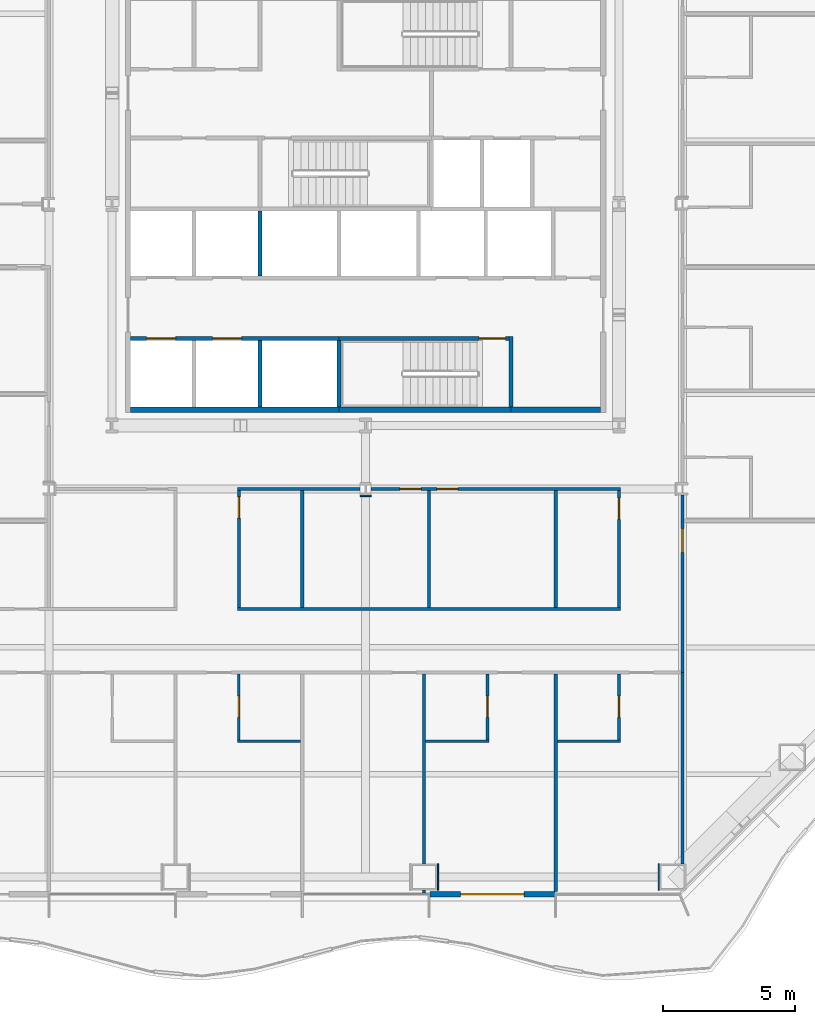
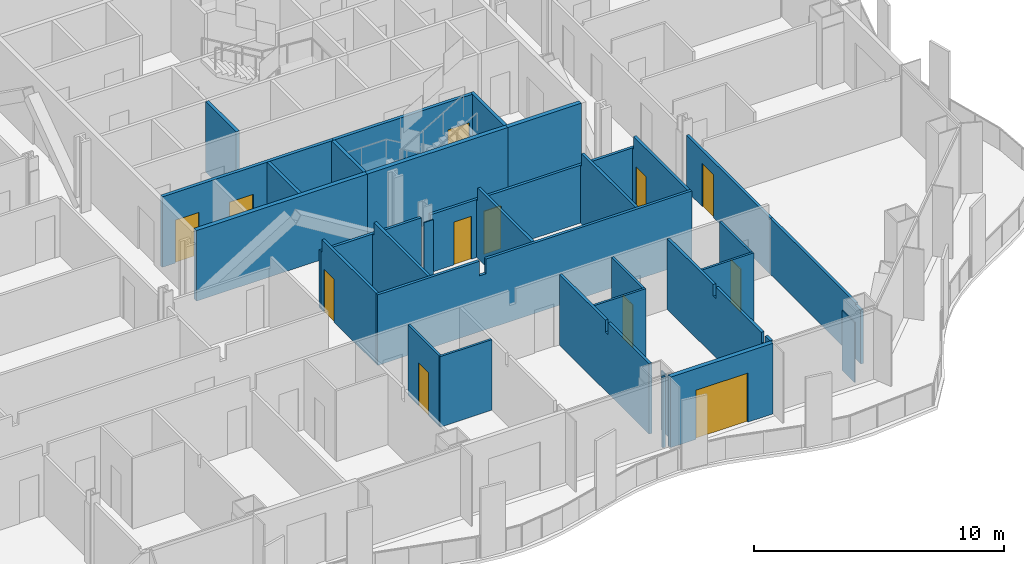
# One storey, part 9 of 21: 32 walls, 12 doors, 12 openings.
"""IFC4 building model written with IfcOpenShell, lengths in metres."""

from ifc_helpers import new_model, si_unit, direction, frame, frame_2d, origin, place, context, subcontext, project, spatial, polyline, rectangle, outline, extrude, material, layer, layer_set, type_object, element, fill, save


model = new_model("IFC4")

# Units and contexts
model_context = context("Model", 3, precision=1e-05, world=origin(), true_north=direction((0.0, 1.0)))
body_context = subcontext(model_context, "Body", "Model", "MODEL_VIEW")
ifc_project = project(units=[si_unit("LENGTHUNIT", "METRE"), si_unit("AREAUNIT", "SQUARE_METRE"), si_unit("VOLUMEUNIT", "CUBIC_METRE"), si_unit("PLANEANGLEUNIT", "RADIAN"), si_unit("MASSUNIT", "GRAM", prefix="KILO")], contexts=[model_context])

# Site, building, storey
site_placement = place(None, origin())
site = spatial("IfcSite", under=ifc_project, at=site_placement, CompositionType="ELEMENT")
building_placement = place(site_placement, origin())
building = spatial("IfcBuilding", under=site, at=building_placement, Name="Cairn Pilgrim Tower", CompositionType="ELEMENT")
storey_placement = place(building_placement, frame((0.0, 0.0, 43.800048828125)))
storey = spatial("IfcBuildingStorey", under=building, at=storey_placement, Name="L08", CompositionType="ELEMENT", Elevation=43.800048828125)

# Wall, opening, door
ifc_material_1 = material(Name="Bronze anodised aluminium insulated sandwich panel with mineral wool fill", Category="aluminium")
ifc_layer_1 = layer(ifc_material_1, 0.199951171875)
ifc_layer_set_1 = layer_set([ifc_layer_1], Name="BRONZE INFILL FRAME WALL 200")
wall_type_1 = type_object("IfcWallType", Name="BRONZE INFILL FRAME WALL 200", PredefinedType="NOTDEFINED", material=ifc_layer_set_1)
wall_1_placement = place(storey_placement, frame((9.6298828125, -23.75, 0.0), z_axis=(0.0, 0.0, 1.0), x_axis=(1.0, 0.0, 0.0)))
wall_1 = element("IfcWall", 1, at=wall_1_placement, inside=storey, type_object=wall_type_1, Name="Bronze infill frame wall IW-S7", PredefinedType="NOTDEFINED", context=body_context, shape_type="SweptSolid", body=[
    extrude(rectangle(XDim=4.740234375, YDim=0.199951171875, at=frame_2d((2.3701171875, 0.0))), origin(), (0.0, 0.0, 1.0), 3.449951171875),
])
opening_1_placement = place(wall_1_placement, frame((1.169921875, 0.0, 0.0)))
opening_1 = element("IfcOpeningElement", 2, at=opening_1_placement, cuts=wall_1, Name="Opening 0807B", PredefinedType="OPENING", context=body_context, shape_type="SweptSolid", body=[
    extrude(rectangle(XDim=2.39990234375, YDim=2.39990234375, at=frame_2d((1.199951171875, 1.199951171875))), frame((0.0, 0.10986328125, 0.0), z_axis=(0.0, -1.0, 0.0), x_axis=(1.0, 0.0, 0.0)), (0.0, 0.0, 1.0), 0.219970703125),
])
ifc_material_2 = material(Name="Bronze anodised aluminium frame with tinted low-E glass", Category="aluminium")
door_type_1 = type_object("IfcDoorType", Name="BALCONY SLIDING DOOR 2400x2400", OperationType="DOUBLE_DOOR_SLIDING", PredefinedType="DOOR", material=ifc_material_2)
door_1_placement = place(opening_1_placement, origin())
door_1 = element("IfcDoor", 3, at=door_1_placement, inside=storey, type_object=door_type_1, Name="Balcony sliding door 0807B", OperationType="SINGLE_SWING_LEFT", OverallHeight=2.39990234375, OverallWidth=2.39990234375, PredefinedType="DOOR", context=body_context, shape_type="SweptSolid", body=[
    extrude(rectangle(XDim=2.39990234375, YDim=2.39990234375, at=frame_2d((1.199951171875, 1.199951171875))), frame((0.0, 0.02490234375, 0.0), z_axis=(0.0, -1.0, 0.0), x_axis=(1.0, 0.0, 0.0)), (0.0, 0.0, 1.0), 0.050048828125),
])
fill(opening_1, door_1)

# Walls
ifc_material_3 = material(Name="Concrete C32/40", Category="concrete")
ifc_layer_2 = layer(ifc_material_3, 0.199951171875)
ifc_layer_set_2 = layer_set([ifc_layer_2], Name="CORE OUTER WALL 200 EI 120")
wall_type_2 = type_object("IfcWallType", Name="CORE OUTER WALL 200 EI 120", PredefinedType="SOLIDWALL", material=ifc_layer_set_2)
wall_2_placement = place(storey_placement, frame((-1.699951171875, -5.39990234375, 0.0), z_axis=(0.0, 0.0, 1.0), x_axis=(1.0, 0.0, 0.0)))
element("IfcWall", 4, at=wall_2_placement, inside=storey, type_object=wall_type_2, Name="CW:L08:H01-1", PredefinedType="SOLIDWALL", context=body_context, shape_type="SweptSolid", body=[
    extrude(rectangle(XDim=7.89990234375, YDim=0.199951171875, at=frame_2d((3.949951171875, 0.0))), origin(), (0.0, 0.0, 1.0), 3.449951171875),
])
wall_3_placement = place(storey_placement, frame((12.699951171875, -5.39990234375, 0.0), z_axis=(0.0, 0.0, 1.0), x_axis=(1.0, 0.0, 0.0)))
element("IfcWall", 5, at=wall_3_placement, inside=storey, type_object=wall_type_2, Name="CW:L08:H01-3", PredefinedType="SOLIDWALL", context=body_context, shape_type="SweptSolid", body=[
    extrude(rectangle(XDim=3.400146484375, YDim=0.199951171875, at=frame_2d((1.7001953125, 0.0))), origin(), (0.0, 0.0, 1.0), 3.449951171875),
])

# Wall, openings, doors
ifc_layer_3 = layer(ifc_material_3, 0.14990234375)
ifc_layer_set_3 = layer_set([ifc_layer_3], Name="CORE SHAFT WALL 150 EI 120")
wall_type_3 = type_object("IfcWallType", Name="CORE SHAFT WALL 150 EI 120", PredefinedType="SOLIDWALL", material=ifc_layer_set_3)
wall_4_placement = place(storey_placement, frame((-1.699951171875, -2.699951171875, 0.0), z_axis=(0.0, 0.0, 1.0), x_axis=(1.0, 0.0, 0.0)))
wall_4 = element("IfcWall", 6, at=wall_4_placement, inside=storey, type_object=wall_type_3, Name="CW:L08:H02-1", PredefinedType="SOLIDWALL", context=body_context, shape_type="SweptSolid", body=[
    extrude(rectangle(XDim=7.89990234375, YDim=0.14990234375, at=frame_2d((3.949951171875, 0.0))), origin(), (0.0, 0.0, 1.0), 3.449951171875),
])
opening_2_placement = place(wall_4_placement, frame((0.60009765625, 0.0, 0.0)))
opening_2 = element("IfcOpeningElement", 7, at=opening_2_placement, cuts=wall_4, Name="Opening LD-LR1", PredefinedType="OPENING", context=body_context, shape_type="SweptSolid", body=[
    extrude(rectangle(XDim=1.10009765625, YDim=2.10009765625, at=frame_2d((0.550048828125, 1.050048828125))), frame((0.0, 0.0849609375, 0.0), z_axis=(0.0, -1.0, 0.0), x_axis=(1.0, 0.0, 0.0)), (0.0, 0.0, 1.0), 0.169921875),
])
opening_3_placement = place(wall_4_placement, frame((3.10009765625, 0.0, 0.0)))
opening_3 = element("IfcOpeningElement", 8, at=opening_3_placement, cuts=wall_4, Name="Opening LD-LR2", PredefinedType="OPENING", context=body_context, shape_type="SweptSolid", body=[
    extrude(rectangle(XDim=1.10009765625, YDim=2.10009765625, at=frame_2d((0.550048828125, 1.050048828125))), frame((0.0, 0.0849609375, 0.0), z_axis=(0.0, -1.0, 0.0), x_axis=(1.0, 0.0, 0.0)), (0.0, 0.0, 1.0), 0.169921875),
])
ifc_material_4 = material(Name="Stainless steel", Category="steel")
door_type_2 = type_object("IfcDoorType", Name="LIFT LANDING DOOR 1100x2100", OperationType="DOUBLE_DOOR_SLIDING", PredefinedType="DOOR", material=ifc_material_4)
door_2_placement = place(opening_2_placement, origin())
door_2 = element("IfcDoor", 9, at=door_2_placement, inside=storey, type_object=door_type_2, Name="LANDING DOOR LR1", OperationType="DOUBLE_DOOR_SLIDING", OverallHeight=2.10009765625, OverallWidth=1.10009765625, PredefinedType="DOOR", context=body_context, shape_type="SweptSolid", body=[
    extrude(rectangle(XDim=1.10009765625, YDim=2.10009765625, at=frame_2d((0.550048828125, 1.050048828125))), frame((0.0, 0.02490234375, 0.0), z_axis=(0.0, -1.0, 0.0), x_axis=(1.0, 0.0, 0.0)), (0.0, 0.0, 1.0), 0.050048828125),
])
fill(opening_2, door_2)
door_3_placement = place(opening_3_placement, origin())
door_3 = element("IfcDoor", 10, at=door_3_placement, inside=storey, type_object=door_type_2, Name="LANDING DOOR LR2", OperationType="DOUBLE_DOOR_SLIDING", OverallHeight=2.10009765625, OverallWidth=1.10009765625, PredefinedType="DOOR", context=body_context, shape_type="SweptSolid", body=[
    extrude(rectangle(XDim=1.10009765625, YDim=2.10009765625, at=frame_2d((0.550048828125, 1.050048828125))), frame((0.0, 0.02490234375, 0.0), z_axis=(0.0, -1.0, 0.0), x_axis=(1.0, 0.0, 0.0)), (0.0, 0.0, 1.0), 0.050048828125),
])
fill(opening_3, door_3)

# Walls
wall_5_placement = place(storey_placement, frame((3.199951171875, -5.300048828125, 0.0), z_axis=(0.0, 0.0, 1.0), x_axis=(0.0, 1.0, 0.0)))
element("IfcWall", 11, at=wall_5_placement, inside=storey, type_object=wall_type_3, Name="CW:L08:V16", PredefinedType="SOLIDWALL", context=body_context, shape_type="SweptSolid", body=[
    extrude(rectangle(XDim=2.525146484375, YDim=0.14990234375, at=frame_2d((1.2626953125, 0.0))), origin(), (0.0, 0.0, 1.0), 3.449951171875),
])
wall_6_placement = place(storey_placement, frame((3.199951171875, -0.324951171875, 0.0), z_axis=(0.0, 0.0, 1.0), x_axis=(0.0, 1.0, 0.0)))
element("IfcWall", 12, at=wall_6_placement, inside=storey, type_object=wall_type_3, Name="CW:L08:V17", PredefinedType="SOLIDWALL", context=body_context, shape_type="SweptSolid", body=[
    extrude(rectangle(XDim=2.449951171875, YDim=0.14990234375, at=frame_2d((1.22509765625, 0.0))), origin(), (0.0, 0.0, 1.0), 3.449951171875),
])
ifc_material_5 = material(Name="Gypsum partition")
ifc_layer_4 = layer(ifc_material_5, 0.10009765625)
ifc_layer_set_4 = layer_set([ifc_layer_4], Name="PARTITION 100 DRYWALL")
wall_type_4 = type_object("IfcWallType", Name="PARTITION 100 DRYWALL", PredefinedType="PARTITIONING", material=ifc_layer_set_4)
wall_7_placement = place(storey_placement, frame((2.35009765625, -17.949951171875, 0.0), z_axis=(0.0, 0.0, 1.0), x_axis=(1.0, 0.0, 0.0)))
element("IfcWall", 13, at=wall_7_placement, inside=storey, type_object=wall_type_4, Name="PARTITION W015", PredefinedType="PARTITIONING", context=body_context, shape_type="SweptSolid", body=[
    extrude(rectangle(XDim=2.387451171875, YDim=0.10009765625, at=frame_2d((1.19384765625, 0.0))), origin(), (0.0, 0.0, 1.0), 3.449951171875),
])

# Wall, opening, door
wall_8_placement = place(storey_placement, frame((2.39990234375, -17.89990234375, 0.0), z_axis=(0.0, 0.0, 1.0), x_axis=(0.0, 1.0, 0.0)))
wall_8 = element("IfcWall", 14, at=wall_8_placement, inside=storey, type_object=wall_type_4, Name="PARTITION W016", PredefinedType="PARTITIONING", context=body_context, shape_type="SweptSolid", body=[
    extrude(rectangle(XDim=2.4873046875, YDim=0.10009765625, at=frame_2d((1.24365234375, 0.0))), origin(), (0.0, 0.0, 1.0), 3.449951171875),
])
opening_4_placement = place(wall_8_placement, frame((0.85009765625, 0.0, 0.0)))
opening_4 = element("IfcOpeningElement", 15, at=opening_4_placement, cuts=wall_8, Name="Opening 0805E", PredefinedType="OPENING", context=body_context, shape_type="SweptSolid", body=[
    extrude(rectangle(XDim=0.800048828125, YDim=2.10009765625, at=frame_2d((0.39990234375, 1.050048828125))), frame((0.0, 0.06005859375, 0.0), z_axis=(0.0, -1.0, 0.0), x_axis=(1.0, 0.0, 0.0)), (0.0, 0.0, 1.0), 0.1201171875),
])
ifc_material_6 = material(Name="Timber door leaf", Category="wood")
door_type_3 = type_object("IfcDoorType", Name="DOOR 800x2100", OperationType="NOTDEFINED", PredefinedType="DOOR", material=ifc_material_6)
door_4_placement = place(opening_4_placement, frame((0.800048828125, 0.0, 0.0), z_axis=(0.0, 0.0, 1.0), x_axis=(-1.0, 0.0, 0.0)))
door_4 = element("IfcDoor", 16, at=door_4_placement, inside=storey, type_object=door_type_3, Name="DOOR 0805E", OperationType="SINGLE_SWING_LEFT", OverallHeight=2.10009765625, OverallWidth=0.800048828125, PredefinedType="DOOR", context=body_context, shape_type="SweptSolid", body=[
    extrude(rectangle(XDim=0.800048828125, YDim=2.10009765625, at=frame_2d((0.39990234375, 1.050048828125))), frame((0.0, 0.02490234375, 0.0), z_axis=(0.0, -1.0, 0.0), x_axis=(1.0, 0.0, 0.0)), (0.0, 0.0, 1.0), 0.050048828125),
])
fill(opening_4, door_4)

# Wall
wall_9_placement = place(storey_placement, frame((9.4765625, -17.949951171875, 0.0), z_axis=(0.0, 0.0, 1.0), x_axis=(1.0, 0.0, 0.0)))
element("IfcWall", 17, at=wall_9_placement, inside=storey, type_object=wall_type_4, Name="PARTITION W017", PredefinedType="PARTITIONING", context=body_context, shape_type="SweptSolid", body=[
    extrude(rectangle(XDim=2.387451171875, YDim=0.10009765625, at=frame_2d((1.19384765625, 0.0))), origin(), (0.0, 0.0, 1.0), 3.449951171875),
])

# Wall, opening, door
wall_10_placement = place(storey_placement, frame((11.81396484375, -17.89990234375, 0.0), z_axis=(0.0, 0.0, 1.0), x_axis=(0.0, 1.0, 0.0)))
wall_10 = element("IfcWall", 18, at=wall_10_placement, inside=storey, type_object=wall_type_4, Name="PARTITION W018", PredefinedType="PARTITIONING", context=body_context, shape_type="SweptSolid", body=[
    extrude(rectangle(XDim=2.4873046875, YDim=0.10009765625, at=frame_2d((1.24365234375, 0.0))), origin(), (0.0, 0.0, 1.0), 3.449951171875),
])
opening_5_placement = place(wall_10_placement, frame((0.85009765625, 0.0, 0.0)))
opening_5 = element("IfcOpeningElement", 19, at=opening_5_placement, cuts=wall_10, Name="Opening 0807E", PredefinedType="OPENING", context=body_context, shape_type="SweptSolid", body=[
    extrude(rectangle(XDim=0.800048828125, YDim=2.10009765625, at=frame_2d((0.39990234375, 1.050048828125))), frame((0.0, 0.06005859375, 0.0), z_axis=(0.0, -1.0, 0.0), x_axis=(1.0, 0.0, 0.0)), (0.0, 0.0, 1.0), 0.1201171875),
])
door_5_placement = place(opening_5_placement, origin())
door_5 = element("IfcDoor", 20, at=door_5_placement, inside=storey, type_object=door_type_3, Name="DOOR 0807E", OperationType="SINGLE_SWING_RIGHT", OverallHeight=2.10009765625, OverallWidth=0.800048828125, PredefinedType="DOOR", context=body_context, shape_type="SweptSolid", body=[
    extrude(rectangle(XDim=0.800048828125, YDim=2.10009765625, at=frame_2d((0.39990234375, 1.050048828125))), frame((0.0, 0.02490234375, 0.0), z_axis=(0.0, -1.0, 0.0), x_axis=(1.0, 0.0, 0.0)), (0.0, 0.0, 1.0), 0.050048828125),
])
fill(opening_5, door_5)

# Wall
wall_11_placement = place(storey_placement, frame((14.46240234375, -17.949951171875, 0.0), z_axis=(0.0, 0.0, 1.0), x_axis=(1.0, 0.0, 0.0)))
element("IfcWall", 21, at=wall_11_placement, inside=storey, type_object=wall_type_4, Name="PARTITION W019", PredefinedType="PARTITIONING", context=body_context, shape_type="SweptSolid", body=[
    extrude(rectangle(XDim=2.3876953125, YDim=0.10009765625, at=frame_2d((1.19384765625, 0.0))), origin(), (0.0, 0.0, 1.0), 3.449951171875),
])

# Wall, opening, door
wall_12_placement = place(storey_placement, frame((16.800048828125, -17.89990234375, 0.0), z_axis=(0.0, 0.0, 1.0), x_axis=(0.0, 1.0, 0.0)))
wall_12 = element("IfcWall", 22, at=wall_12_placement, inside=storey, type_object=wall_type_4, Name="PARTITION W020", PredefinedType="PARTITIONING", context=body_context, shape_type="SweptSolid", body=[
    extrude(rectangle(XDim=2.4873046875, YDim=0.10009765625, at=frame_2d((1.24365234375, 0.0))), origin(), (0.0, 0.0, 1.0), 3.449951171875),
])
opening_6_placement = place(wall_12_placement, frame((0.85009765625, 0.0, 0.0)))
opening_6 = element("IfcOpeningElement", 23, at=opening_6_placement, cuts=wall_12, Name="Opening 0808E", PredefinedType="OPENING", context=body_context, shape_type="SweptSolid", body=[
    extrude(rectangle(XDim=0.800048828125, YDim=2.10009765625, at=frame_2d((0.39990234375, 1.050048828125))), frame((0.0, 0.06005859375, 0.0), z_axis=(0.0, -1.0, 0.0), x_axis=(1.0, 0.0, 0.0)), (0.0, 0.0, 1.0), 0.1201171875),
])
door_6_placement = place(opening_6_placement, origin())
door_6 = element("IfcDoor", 24, at=door_6_placement, inside=storey, type_object=door_type_3, Name="DOOR 0808E", OperationType="SINGLE_SWING_RIGHT", OverallHeight=2.10009765625, OverallWidth=0.800048828125, PredefinedType="DOOR", context=body_context, shape_type="SweptSolid", body=[
    extrude(rectangle(XDim=0.800048828125, YDim=2.10009765625, at=frame_2d((0.39990234375, 1.050048828125))), frame((0.0, 0.02490234375, 0.0), z_axis=(0.0, -1.0, 0.0), x_axis=(1.0, 0.0, 0.0)), (0.0, 0.0, 1.0), 0.050048828125),
])
fill(opening_6, door_6)

# Walls
ifc_layer_5 = layer(ifc_material_5, 0.125)
ifc_layer_set_5 = layer_set([ifc_layer_5], Name="PARTITION 125 DRYWALL EI 60")
wall_type_5 = type_object("IfcWallType", Name="PARTITION 125 DRYWALL EI 60", PredefinedType="PARTITIONING", material=ifc_layer_set_5)
wall_13_placement = place(storey_placement, frame((9.4140625, -23.702880859375, 0.0), z_axis=(0.0, 0.0, 1.0), x_axis=(0.0, 1.0, 0.0)))
element("IfcWall", 25, at=wall_13_placement, inside=storey, type_object=wall_type_5, Name="PARTITION W004", PredefinedType="PARTITIONING", context=body_context, shape_type="SweptSolid", body=[
    extrude(rectangle(XDim=0.102783203125, YDim=0.125, at=frame_2d((0.05126953125, 0.0))), origin(), (0.0, 0.0, 1.0), 3.449951171875),
])
wall_14_placement = place(storey_placement, frame((14.39990234375, -23.64990234375, 0.0), z_axis=(0.0, 0.0, 1.0), x_axis=(0.0, 1.0, 0.0)))
element("IfcWall", 26, at=wall_14_placement, inside=storey, type_object=wall_type_5, Name="PARTITION W005", PredefinedType="PARTITIONING", context=body_context, shape_type="SweptSolid", body=[
    extrude(outline(polyline([(0.0, 0.0), (8.2373046875, 0.0), (8.237548828125, 3.449951171875), (4.554931640625, 3.449951171875), (4.552978515625, 2.8798828125), (4.344970703125, 2.8798828125), (4.343017578125, 3.449951171875), (0.699951171875, 3.449951171875), (0.697998046875, 2.929931640625), (0.39990234375, 2.929931640625), (0.39794921875, 3.449951171875), (0.0, 3.449951171875), (0.0, 0.0)])), frame((0.0, 0.0625, 0.0), z_axis=(0.0, -1.0, 0.0), x_axis=(1.0, 0.0, 0.0)), (0.0, 0.0, 1.0), 0.125),
])
wall_15_placement = place(storey_placement, frame((9.4140625, -22.60009765625, 0.0), z_axis=(0.0, 0.0, 1.0), x_axis=(0.0, 1.0, 0.0)))
element("IfcWall", 27, at=wall_15_placement, inside=storey, type_object=wall_type_5, Name="PARTITION W008", PredefinedType="PARTITIONING", context=body_context, shape_type="SweptSolid", body=[
    extrude(outline(polyline([(0.0, 0.0), (7.1875, 0.0), (7.1875, 3.449951171875), (3.5048828125, 3.449951171875), (3.5029296875, 2.8798828125), (3.294921875, 2.8798828125), (3.29296875, 3.449951171875), (0.0, 3.449951171875), (0.0, 0.0)])), frame((0.0, 0.0625, 0.0), z_axis=(0.0, -1.0, 0.0), x_axis=(1.0, 0.0, 0.0)), (0.0, 0.0, 1.0), 0.125),
])
wall_16_placement = place(storey_placement, frame((19.199951171875, -22.60009765625, 0.0), z_axis=(0.0, 0.0, 1.0), x_axis=(0.0, 1.0, 0.0)))
element("IfcWall", 28, at=wall_16_placement, inside=storey, type_object=wall_type_5, Name="PARTITION W009", PredefinedType="PARTITIONING", context=body_context, shape_type="SweptSolid", body=[
    extrude(outline(polyline([(0.0, 0.0), (7.25, 0.0), (7.25, 2.72998046875), (0.430419921875, 2.72998046875), (0.42822265625, 2.6298828125), (0.0, 2.6298828125), (0.0, 0.0)])), frame((0.0, 0.0625, 0.0), z_axis=(0.0, -1.0, 0.0), x_axis=(1.0, 0.0, 0.0)), (0.0, 0.0, 1.0), 0.125),
])

# Wall, opening, door
wall_17_placement = place(storey_placement, frame((19.199951171875, -15.35009765625, 0.0), z_axis=(0.0, 0.0, 1.0), x_axis=(0.0, 1.0, 0.0)))
wall_17 = element("IfcWall", 29, at=wall_17_placement, inside=storey, type_object=wall_type_5, Name="PARTITION W024", PredefinedType="PARTITIONING", context=body_context, shape_type="SweptSolid", body=[
    extrude(rectangle(XDim=6.713134765625, YDim=0.125, at=frame_2d((3.3564453125, 0.0))), origin(), (0.0, 0.0, 1.0), 2.72998046875),
])
opening_7_placement = place(wall_17_placement, frame((4.550048828125, 0.0, 0.0)))
opening_7 = element("IfcOpeningElement", 30, at=opening_7_placement, cuts=wall_17, Name="Opening 0821", PredefinedType="OPENING", context=body_context, shape_type="SweptSolid", body=[
    extrude(rectangle(XDim=0.89990234375, YDim=2.10009765625, at=frame_2d((0.449951171875, 1.050048828125))), frame((0.0, 0.072509765625, 0.0), z_axis=(0.0, -1.0, 0.0), x_axis=(1.0, 0.0, 0.0)), (0.0, 0.0, 1.0), 0.14501953125),
])
ifc_material_7 = material(Name="Steel-faced fire door leaf", Category="steel")
door_type_4 = type_object("IfcDoorType", Name="FIRE DOOR 900x2100 FD30S", OperationType="NOTDEFINED", PredefinedType="DOOR", material=ifc_material_7)
door_7_placement = place(opening_7_placement, frame((0.89990234375, 0.0, 0.0), z_axis=(0.0, 0.0, 1.0), x_axis=(-1.0, 0.0, 0.0)))
door_7 = element("IfcDoor", 31, at=door_7_placement, inside=storey, type_object=door_type_4, Name="DOOR 0821", OperationType="SINGLE_SWING_RIGHT", OverallHeight=2.10009765625, OverallWidth=0.89990234375, PredefinedType="DOOR", context=body_context, shape_type="SweptSolid", body=[
    extrude(rectangle(XDim=0.89990234375, YDim=2.10009765625, at=frame_2d((0.449951171875, 1.050048828125))), frame((0.0, 0.02490234375, 0.0), z_axis=(0.0, -1.0, 0.0), x_axis=(1.0, 0.0, 0.0)), (0.0, 0.0, 1.0), 0.050048828125),
])
fill(opening_7, door_7)

# Wall
wall_18_placement = place(storey_placement, frame((2.33740234375, -12.949951171875, 0.0), z_axis=(0.0, 0.0, 1.0), x_axis=(1.0, 0.0, 0.0)))
element("IfcWall", 32, at=wall_18_placement, inside=storey, type_object=wall_type_5, Name="PARTITION W026", PredefinedType="PARTITIONING", context=body_context, shape_type="SweptSolid", body=[
    extrude(outline(polyline([(0.0, 0.0), (14.525146484375, 0.0), (14.52490234375, 3.449951171875), (5.012451171875, 3.449951171875), (5.010498046875, 2.72998046875), (4.71240234375, 2.72998046875), (4.71044921875, 3.449951171875), (0.0, 3.449951171875), (0.0, 0.0)])), frame((0.0, 0.0625, 0.0), z_axis=(0.0, -1.0, 0.0), x_axis=(1.0, 0.0, 0.0)), (0.0, 0.0, 1.0), 0.125),
])

# Wall, opening, door
wall_19_placement = place(storey_placement, frame((2.39990234375, -12.887451171875, 0.0), z_axis=(0.0, 0.0, 1.0), x_axis=(0.0, 1.0, 0.0)))
wall_19 = element("IfcWall", 33, at=wall_19_placement, inside=storey, type_object=wall_type_5, Name="PARTITION W031", PredefinedType="PARTITIONING", context=body_context, shape_type="SweptSolid", body=[
    extrude(outline(polyline([(0.0, 0.0), (4.425048828125, 0.0), (4.425048828125, 2.829833984375), (4.33740234375, 2.829833984375), (4.33544921875, 3.449951171875), (0.0, 3.449951171875), (0.0, 0.0)])), frame((0.0, 0.0625, 0.0), z_axis=(0.0, -1.0, 0.0), x_axis=(1.0, 0.0, 0.0)), (0.0, 0.0, 1.0), 0.125),
])
opening_8_placement = place(wall_19_placement, frame((3.387451171875, 0.0, 0.0)))
opening_8 = element("IfcOpeningElement", 34, at=opening_8_placement, cuts=wall_19, Name="Opening 0835", PredefinedType="OPENING", context=body_context, shape_type="SweptSolid", body=[
    extrude(rectangle(XDim=0.800048828125, YDim=2.10009765625, at=frame_2d((0.39990234375, 1.050048828125))), frame((0.0, 0.072509765625, 0.0), z_axis=(0.0, -1.0, 0.0), x_axis=(1.0, 0.0, 0.0)), (0.0, 0.0, 1.0), 0.14501953125),
])
door_type_5 = type_object("IfcDoorType", Name="FIRE DOOR 800x2100 FD30S", OperationType="NOTDEFINED", PredefinedType="DOOR", material=ifc_material_7)
door_8_placement = place(opening_8_placement, frame((0.800048828125, 0.0, 0.0), z_axis=(0.0, 0.0, 1.0), x_axis=(-1.0, 0.0, 0.0)))
door_8 = element("IfcDoor", 35, at=door_8_placement, inside=storey, type_object=door_type_5, Name="DOOR 0835", OperationType="SINGLE_SWING_RIGHT", OverallHeight=2.10009765625, OverallWidth=0.800048828125, PredefinedType="DOOR", context=body_context, shape_type="SweptSolid", body=[
    extrude(rectangle(XDim=0.800048828125, YDim=2.10009765625, at=frame_2d((0.39990234375, 1.050048828125))), frame((0.0, 0.02490234375, 0.0), z_axis=(0.0, -1.0, 0.0), x_axis=(1.0, 0.0, 0.0)), (0.0, 0.0, 1.0), 0.050048828125),
])
fill(opening_8, door_8)

# Walls
for number, where, z_axis, x_axis, name in (
    (36, (4.800048828125, -12.887451171875, 0.0), (0.0, 0.0, 1.0), (0.0, 1.0, 0.0), "PARTITION W032"),
    (37, (9.60009765625, -12.887451171875, 0.0), (0.0, 0.0, 1.0), (0.0, 1.0, 0.0), "PARTITION W033"),
    (38, (14.39990234375, -12.887451171875, 0.0), (0.0, 0.0, 1.0), (0.0, 1.0, 0.0), "PARTITION W034"),
):
    element("IfcWall", number, at=place(storey_placement, frame(where, z_axis=z_axis, x_axis=x_axis)), inside=storey, type_object=wall_type_5, Name=name, PredefinedType="PARTITIONING", context=body_context, shape_type="SweptSolid", body=[
        extrude(outline(polyline([(0.0, 0.0), (4.425048828125, 0.0), (4.425048828125, 2.829833984375), (4.33740234375, 2.829833984375), (4.33544921875, 3.449951171875), (0.0, 3.449951171875), (0.0, 0.0)])), frame((0.0, 0.0625, 0.0), z_axis=(0.0, -1.0, 0.0), x_axis=(1.0, 0.0, 0.0)), (0.0, 0.0, 1.0), 0.125),
    ])

# Wall, opening, door
wall_20_placement = place(storey_placement, frame((16.800048828125, -12.887451171875, 0.0), z_axis=(0.0, 0.0, 1.0), x_axis=(0.0, 1.0, 0.0)))
wall_20 = element("IfcWall", 39, at=wall_20_placement, inside=storey, type_object=wall_type_5, Name="PARTITION W035", PredefinedType="PARTITIONING", context=body_context, shape_type="SweptSolid", body=[
    extrude(outline(polyline([(0.0, 0.0), (4.425048828125, 0.0), (4.425048828125, 2.829833984375), (4.33740234375, 2.829833984375), (4.33544921875, 3.449951171875), (0.0, 3.449951171875), (0.0, 0.0)])), frame((0.0, 0.0625, 0.0), z_axis=(0.0, -1.0, 0.0), x_axis=(1.0, 0.0, 0.0)), (0.0, 0.0, 1.0), 0.125),
])
opening_9_placement = place(wall_20_placement, frame((3.33740234375, 0.0, 0.0)))
opening_9 = element("IfcOpeningElement", 40, at=opening_9_placement, cuts=wall_20, Name="Opening 0838", PredefinedType="OPENING", context=body_context, shape_type="SweptSolid", body=[
    extrude(rectangle(XDim=0.800048828125, YDim=2.10009765625, at=frame_2d((0.39990234375, 1.050048828125))), frame((0.0, 0.072509765625, 0.0), z_axis=(0.0, -1.0, 0.0), x_axis=(1.0, 0.0, 0.0)), (0.0, 0.0, 1.0), 0.14501953125),
])
door_9_placement = place(opening_9_placement, origin())
door_9 = element("IfcDoor", 41, at=door_9_placement, inside=storey, type_object=door_type_5, Name="DOOR 0838", OperationType="SINGLE_SWING_LEFT", OverallHeight=2.10009765625, OverallWidth=0.800048828125, PredefinedType="DOOR", context=body_context, shape_type="SweptSolid", body=[
    extrude(rectangle(XDim=0.800048828125, YDim=2.10009765625, at=frame_2d((0.39990234375, 1.050048828125))), frame((0.0, 0.02490234375, 0.0), z_axis=(0.0, -1.0, 0.0), x_axis=(1.0, 0.0, 0.0)), (0.0, 0.0, 1.0), 0.050048828125),
])
fill(opening_9, door_9)

# Wall
wall_21_placement = place(storey_placement, frame((2.33740234375, -8.39990234375, 0.0), z_axis=(0.0, 0.0, 1.0), x_axis=(1.0, 0.0, 0.0)))
element("IfcWall", 42, at=wall_21_placement, inside=storey, type_object=wall_type_5, Name="PARTITION W041", PredefinedType="PARTITIONING", context=body_context, shape_type="SweptSolid", body=[
    extrude(rectangle(XDim=4.650634765625, YDim=0.125, at=frame_2d((2.3251953125, 0.0))), origin(), (0.0, 0.0, 1.0), 2.829833984375),
])

# Wall, openings, doors
wall_22_placement = place(storey_placement, frame((7.412109375, -8.39990234375, 0.0), z_axis=(0.0, 0.0, 1.0), x_axis=(1.0, 0.0, 0.0)))
wall_22 = element("IfcWall", 43, at=wall_22_placement, inside=storey, type_object=wall_type_5, Name="PARTITION W042", PredefinedType="PARTITIONING", context=body_context, shape_type="SweptSolid", body=[
    extrude(rectangle(XDim=9.450439453125, YDim=0.125, at=frame_2d((4.72509765625, 0.0))), origin(), (0.0, 0.0, 1.0), 2.829833984375),
])
opening_10_placement = place(wall_22_placement, frame((1.087890625, 0.0, 0.0)))
opening_10 = element("IfcOpeningElement", 44, at=opening_10_placement, cuts=wall_22, Name="Opening 0836", PredefinedType="OPENING", context=body_context, shape_type="SweptSolid", body=[
    extrude(rectangle(XDim=0.800048828125, YDim=2.10009765625, at=frame_2d((0.39990234375, 1.050048828125))), frame((0.0, 0.072509765625, 0.0), z_axis=(0.0, -1.0, 0.0), x_axis=(1.0, 0.0, 0.0)), (0.0, 0.0, 1.0), 0.14501953125),
])
opening_11_placement = place(wall_22_placement, frame((2.488037109375, 0.0, 0.0)))
opening_11 = element("IfcOpeningElement", 45, at=opening_11_placement, cuts=wall_22, Name="Opening 0837", PredefinedType="OPENING", context=body_context, shape_type="SweptSolid", body=[
    extrude(rectangle(XDim=0.800048828125, YDim=2.10009765625, at=frame_2d((0.39990234375, 1.050048828125))), frame((0.0, 0.072509765625, 0.0), z_axis=(0.0, -1.0, 0.0), x_axis=(1.0, 0.0, 0.0)), (0.0, 0.0, 1.0), 0.14501953125),
])
door_10_placement = place(opening_10_placement, frame((0.800048828125, 0.0, 0.0), z_axis=(0.0, 0.0, 1.0), x_axis=(-1.0, 0.0, 0.0)))
door_10 = element("IfcDoor", 46, at=door_10_placement, inside=storey, type_object=door_type_5, Name="DOOR 0836", OperationType="SINGLE_SWING_LEFT", OverallHeight=2.10009765625, OverallWidth=0.800048828125, PredefinedType="DOOR", context=body_context, shape_type="SweptSolid", body=[
    extrude(rectangle(XDim=0.800048828125, YDim=2.10009765625, at=frame_2d((0.39990234375, 1.050048828125))), frame((0.0, 0.02490234375, 0.0), z_axis=(0.0, -1.0, 0.0), x_axis=(1.0, 0.0, 0.0)), (0.0, 0.0, 1.0), 0.050048828125),
])
fill(opening_10, door_10)
door_11_placement = place(opening_11_placement, frame((0.800048828125, 0.0, 0.0), z_axis=(0.0, 0.0, 1.0), x_axis=(-1.0, 0.0, 0.0)))
door_11 = element("IfcDoor", 47, at=door_11_placement, inside=storey, type_object=door_type_5, Name="DOOR 0837", OperationType="SINGLE_SWING_RIGHT", OverallHeight=2.10009765625, OverallWidth=0.800048828125, PredefinedType="DOOR", context=body_context, shape_type="SweptSolid", body=[
    extrude(rectangle(XDim=0.800048828125, YDim=2.10009765625, at=frame_2d((0.39990234375, 1.050048828125))), frame((0.0, 0.02490234375, 0.0), z_axis=(0.0, -1.0, 0.0), x_axis=(1.0, 0.0, 0.0)), (0.0, 0.0, 1.0), 0.050048828125),
])
fill(opening_11, door_11)

# Walls
ifc_layer_6 = layer(ifc_material_5, 0.050048828125)
ifc_layer_set_6 = layer_set([ifc_layer_6], Name="PARTITION 50 DRYWALL EI 60")
wall_type_6 = type_object("IfcWallType", Name="PARTITION 50 DRYWALL EI 60", PredefinedType="PARTITIONING", material=ifc_layer_set_6)
for number, where, z_axis, x_axis, name in (
    (48, (9.938720703125, -23.60009765625, 0.0), (0.0, 0.0, 1.0), (0.0, 1.0, 0.0), "COLUMN CASING WC05"),
    (49, (18.30224609375, -23.60009765625, 0.0), (0.0, 0.0, 1.0), (0.0, 1.0, 0.0), "COLUMN CASING WC08"),
):
    element("IfcWall", number, at=place(storey_placement, frame(where, z_axis=z_axis, x_axis=x_axis)), inside=storey, type_object=wall_type_6, Name=name, PredefinedType="PARTITIONING", context=body_context, shape_type="SweptSolid", body=[
        extrude(rectangle(XDim=1.0, YDim=0.050048828125, at=frame_2d((0.5, 0.0))), origin(), (0.0, 0.0, 1.0), 2.929931640625),
    ])
wall_23_placement = place(storey_placement, frame((6.988037109375, -8.662109375, 0.0), z_axis=(0.0, 0.0, 1.0), x_axis=(1.0, 0.0, 0.0)))
element("IfcWall", 50, at=wall_23_placement, inside=storey, type_object=wall_type_6, Name="COLUMN CASING WC17", PredefinedType="PARTITIONING", context=body_context, shape_type="SweptSolid", body=[
    extrude(rectangle(XDim=0.424072265625, YDim=0.050048828125, at=frame_2d((0.2119140625, 0.0))), origin(), (0.0, 0.0, 1.0), 2.72998046875),
])

# Wall, opening, door
ifc_material_8 = material(Name="Concrete C35/45", Category="concrete")
ifc_layer_7 = layer(ifc_material_8, 0.14990234375)
ifc_layer_set_7 = layer_set([ifc_layer_7], Name="STAIR SHAFT WALL 150 EI 120")
wall_type_7 = type_object("IfcWallType", Name="STAIR SHAFT WALL 150 EI 120", PredefinedType="SOLIDWALL", material=ifc_layer_set_7)
wall_24_placement = place(storey_placement, frame((6.199951171875, -2.699951171875, 0.0), z_axis=(0.0, 0.0, 1.0), x_axis=(1.0, 0.0, 0.0)))
wall_24 = element("IfcWall", 51, at=wall_24_placement, inside=storey, type_object=wall_type_7, Name="CW:L08:H02-2", PredefinedType="SOLIDWALL", context=body_context, shape_type="SweptSolid", body=[
    extrude(rectangle(XDim=6.425048828125, YDim=0.14990234375, at=frame_2d((3.21240234375, 0.0))), origin(), (0.0, 0.0, 1.0), 3.449951171875),
])
opening_12_placement = place(wall_24_placement, frame((5.300048828125, 0.0, 0.0)))
opening_12 = element("IfcOpeningElement", 52, at=opening_12_placement, cuts=wall_24, Name="Opening SD-A", PredefinedType="OPENING", context=body_context, shape_type="SweptSolid", body=[
    extrude(rectangle(XDim=1.0, YDim=2.10009765625, at=frame_2d((0.5, 1.050048828125))), frame((0.0, 0.0849609375, 0.0), z_axis=(0.0, -1.0, 0.0), x_axis=(1.0, 0.0, 0.0)), (0.0, 0.0, 1.0), 0.169921875),
])
ifc_material_9 = material(Name="Painted steel", Category="steel")
door_type_6 = type_object("IfcDoorType", Name="STAIR DOOR FD60S 1000x2100", OperationType="SINGLE_SWING_LEFT", PredefinedType="DOOR", material=ifc_material_9)
door_12_placement = place(opening_12_placement, origin())
door_12 = element("IfcDoor", 53, at=door_12_placement, inside=storey, type_object=door_type_6, Name="SD-A", OperationType="SINGLE_SWING_LEFT", OverallHeight=2.10009765625, OverallWidth=1.0, PredefinedType="DOOR", context=body_context, shape_type="SweptSolid", body=[
    extrude(rectangle(XDim=1.0, YDim=2.10009765625, at=frame_2d((0.5, 1.050048828125))), frame((0.0, 0.02490234375, 0.0), z_axis=(0.0, -1.0, 0.0), x_axis=(1.0, 0.0, 0.0)), (0.0, 0.0, 1.0), 0.050048828125),
])
fill(opening_12, door_12)

# Walls
wall_25_placement = place(storey_placement, frame((6.199951171875, -5.300048828125, 0.0), z_axis=(0.0, 0.0, 1.0), x_axis=(0.0, 1.0, 0.0)))
element("IfcWall", 54, at=wall_25_placement, inside=storey, type_object=wall_type_7, Name="CW:L08:V20", PredefinedType="SOLIDWALL", context=body_context, shape_type="SweptSolid", body=[
    extrude(rectangle(XDim=2.525146484375, YDim=0.14990234375, at=frame_2d((1.2626953125, 0.0))), origin(), (0.0, 0.0, 1.0), 3.449951171875),
])
wall_26_placement = place(storey_placement, frame((12.699951171875, -5.300048828125, 0.0), z_axis=(0.0, 0.0, 1.0), x_axis=(0.0, 1.0, 0.0)))
element("IfcWall", 55, at=wall_26_placement, inside=storey, type_object=wall_type_7, Name="CW:L08:V28", PredefinedType="SOLIDWALL", context=body_context, shape_type="SweptSolid", body=[
    extrude(rectangle(XDim=2.675048828125, YDim=0.14990234375, at=frame_2d((1.33740234375, 0.0))), origin(), (0.0, 0.0, 1.0), 3.449951171875),
])
ifc_layer_8 = layer(ifc_material_8, 0.199951171875)
ifc_layer_set_8 = layer_set([ifc_layer_8], Name="STAIR SHAFT WALL 200 EI 120")
wall_type_8 = type_object("IfcWallType", Name="STAIR SHAFT WALL 200 EI 120", PredefinedType="SOLIDWALL", material=ifc_layer_set_8)
wall_27_placement = place(storey_placement, frame((6.199951171875, -5.39990234375, 0.0), z_axis=(0.0, 0.0, 1.0), x_axis=(1.0, 0.0, 0.0)))
element("IfcWall", 56, at=wall_27_placement, inside=storey, type_object=wall_type_8, Name="CW:L08:H01-2", PredefinedType="SOLIDWALL", context=body_context, shape_type="SweptSolid", body=[
    extrude(rectangle(XDim=6.5, YDim=0.199951171875, at=frame_2d((3.25, 0.0))), origin(), (0.0, 0.0, 1.0), 3.449951171875),
])

save(model, "model.ifc")
